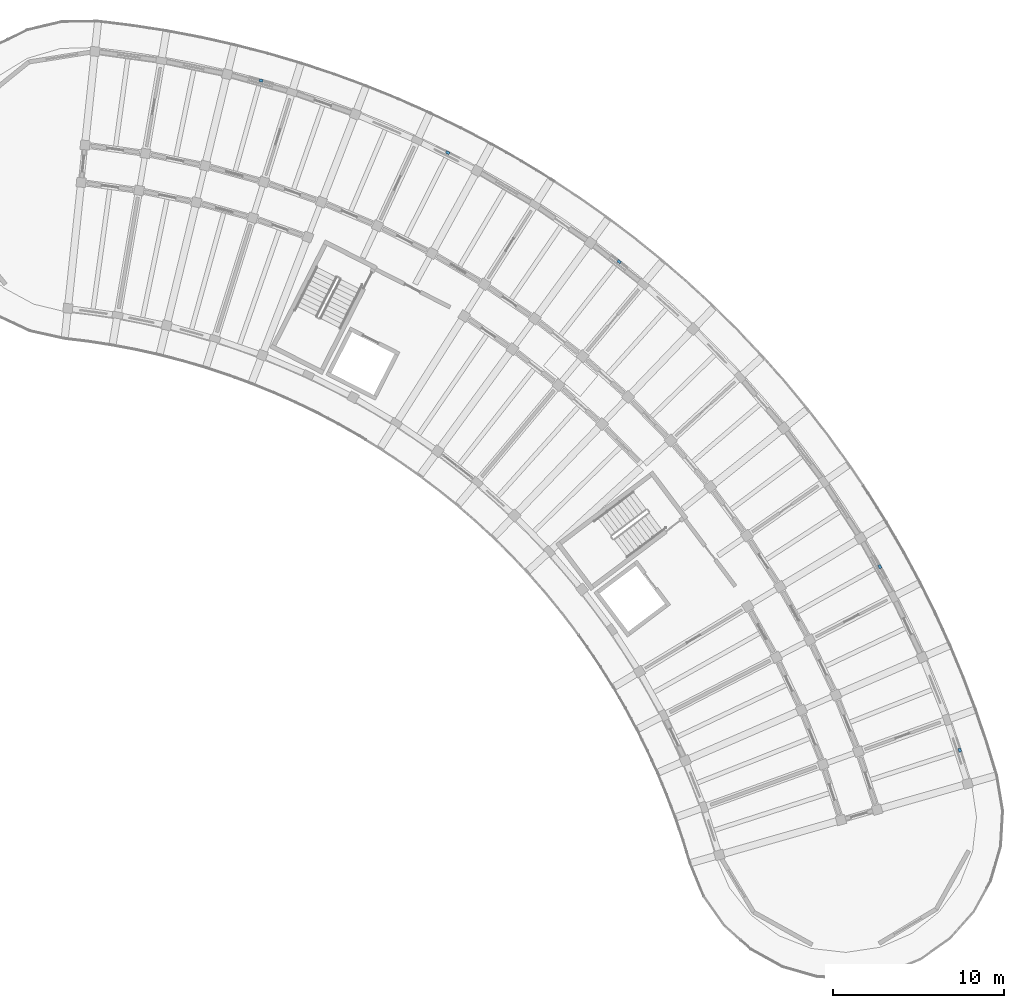
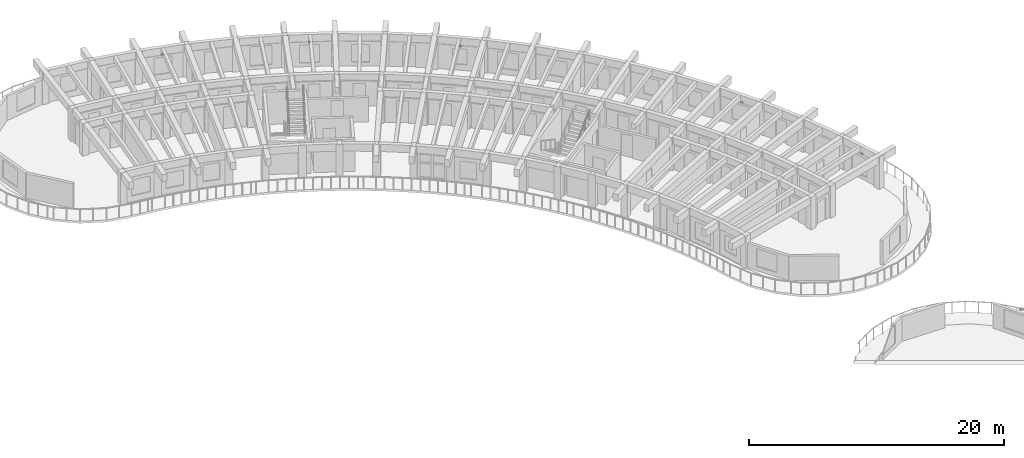
# One storey, part 51 of 69: 5 discrete accessories.
"""IFC4 building model written with IfcOpenShell, lengths in metres."""

from ifc_helpers import new_model, si_unit, direction, frame, origin, origin_2d, place, context, subcontext, project, spatial, rectangle, extrude, material, type_object, element, save


model = new_model("IFC4")

# Units and contexts
model_context = context("Model", 3, precision=1e-05, world=origin(), true_north=direction((0.0, 1.0)))
body_context = subcontext(model_context, "Body", "Model", "MODEL_VIEW")
ifc_project = project(units=[si_unit("LENGTHUNIT", "METRE"), si_unit("AREAUNIT", "SQUARE_METRE"), si_unit("VOLUMEUNIT", "CUBIC_METRE"), si_unit("PLANEANGLEUNIT", "RADIAN"), si_unit("MASSUNIT", "GRAM", prefix="KILO")], contexts=[model_context])

# Site, building, storey
site_placement = place(None, origin())
site = spatial("IfcSite", under=ifc_project, at=site_placement, CompositionType="ELEMENT")
building_placement = place(site_placement, origin())
building = spatial("IfcBuilding", under=site, at=building_placement, Name="Tanwirah Colonnade Gardens", CompositionType="ELEMENT")
storey_placement = place(building_placement, frame((0.0, 0.0, 15.56005859375)))
storey = spatial("IfcBuildingStorey", under=building, at=storey_placement, Name="L04", CompositionType="ELEMENT", Elevation=15.56005859375)

# Discrete accessories
ifc_material = material(Name="Steel S355", Category="steel")
discrete_accessory_type = type_object("IfcDiscreteAccessoryType", Name="BRK-SS1", PredefinedType="BRACKET", material=ifc_material)
for number, where, z_axis, x_axis, name in (
    (1, (177.788818359375, 78.57470703125, 2.099853515625), (0.0, 0.0, 1.0), (-0.307171739363, 0.951654098156, 0.0), "Solar screen support bracket B-L04-00"),
    (2, (173.112060546875, 89.30224609375, 2.169921875), (0.0, 0.0, 1.0), (-0.488198368322, 0.872732692849, 0.0), "Solar screen support bracket B-L04-03"),
    (3, (157.8720703125, 107.136962890625, 2.0498046875), (0.0, 0.0, 1.0), (-0.786816013383, 0.617187622271, 0.0), "Solar screen support bracket B-L04-09"),
    (4, (147.853271484375, 113.505859375, 2.099853515625), (0.0, 0.0, 1.0), (-0.892759988233, 0.450532577524, 0.0), "Solar screen support bracket B-L04-12"),
    (5, (136.93603515625, 117.720947265625, 2.169921875), (0.0, 0.0, 1.0), (-0.963888748144, 0.266305240659, 0.0), "Solar screen support bracket B-L04-15"),
):
    element("IfcDiscreteAccessory", number, at=place(storey_placement, frame(where, z_axis=z_axis, x_axis=x_axis)), inside=storey, type_object=discrete_accessory_type, Name=name, PredefinedType="BRACKET", context=body_context, shape_type="SweptSolid", body=[
        extrude(rectangle(XDim=0.219970703125, YDim=0.159912109375, at=origin_2d()), origin(), (0.0, 0.0, 1.0), 0.1201171875),
    ])

save(model, "model.ifc")
